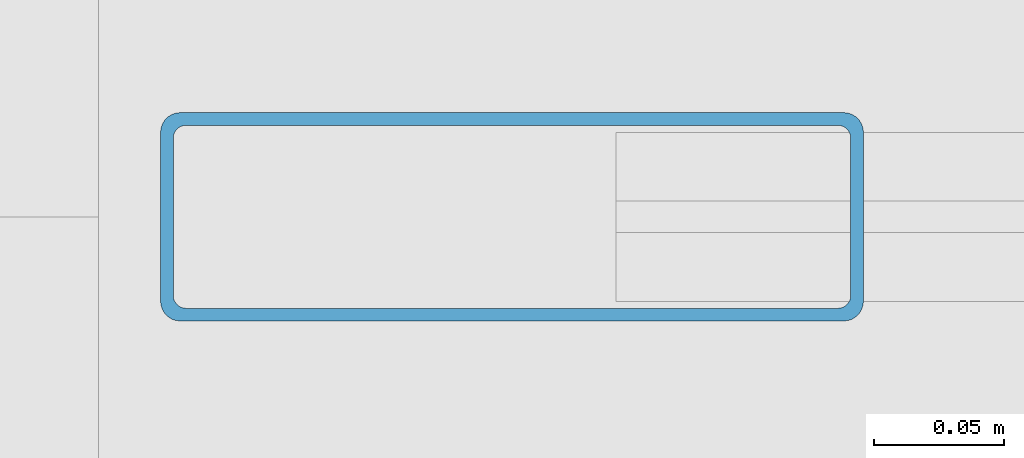
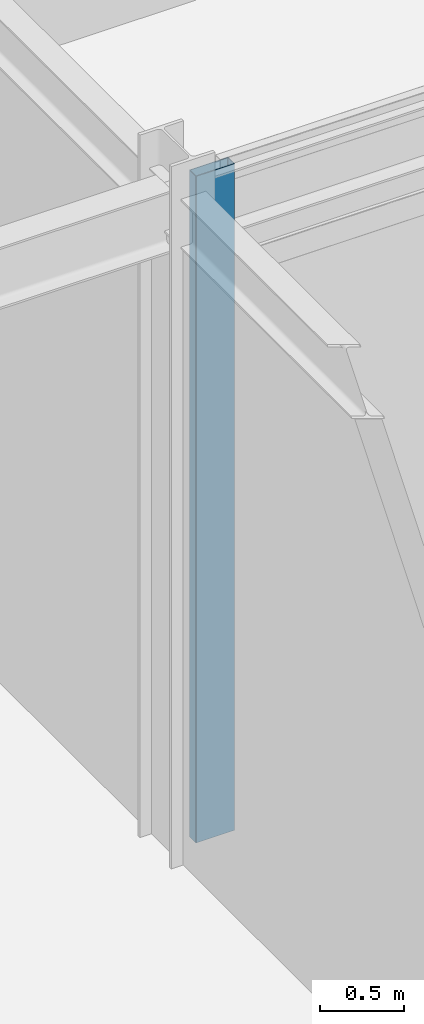
# One storey, part 31 of 79: 1 member, 1 element without a shape of its own.
"""IFC4 building model written with IfcOpenShell, lengths in metres."""

from ifc_helpers import new_model, si_unit, direction, frame, origin, origin_2d, place, context, subcontext, project, spatial, hollow_rectangle, extrude, material, layer, layer_set, material_profile, profile_set, type_object, element, aggregate, save


model = new_model("IFC4")

# Units and contexts
model_context = context("Model", 3, precision=1e-05, world=origin(), true_north=direction((0.0, 1.0)))
body_context = subcontext(model_context, "Body", "Model", "MODEL_VIEW")
ifc_project = project(units=[si_unit("LENGTHUNIT", "METRE"), si_unit("AREAUNIT", "SQUARE_METRE"), si_unit("VOLUMEUNIT", "CUBIC_METRE"), si_unit("PLANEANGLEUNIT", "RADIAN"), si_unit("MASSUNIT", "GRAM", prefix="KILO")], contexts=[model_context])

# Site, building, storey
site_placement = place(None, origin())
site = spatial("IfcSite", under=ifc_project, at=site_placement, CompositionType="ELEMENT")
building_placement = place(site_placement, origin())
building = spatial("IfcBuilding", under=site, at=building_placement, Name="Shalkamar Park Central Library", CompositionType="ELEMENT")
storey_placement = place(building_placement, frame((0.0, 0.0, 10.5)))
storey = spatial("IfcBuildingStorey", under=building, at=storey_placement, Name="L03", CompositionType="ELEMENT", Elevation=10.5)

# Curtain wall, member
ifc_material_1 = material(Name="Thermally broken aluminium and triple low-e curtain wall", Category="aluminium")
ifc_layer = layer(ifc_material_1, 0.27001953125)
ifc_layer_set = layer_set([ifc_layer], Name="AtriumGlazedScreen_123")
curtain_wall_type = type_object("IfcCurtainWallType", Name="Atrium Glazed Screen 123", PredefinedType="USERDEFINED", material=ifc_layer_set)
curtain_wall_placement = place(storey_placement, origin())
curtain_wall = element("IfcCurtainWall", 1, at=curtain_wall_placement, inside=storey, type_object=curtain_wall_type, Name="Atrium Glazed Screen CW-L03-180", ObjectType="ATRIUM GLAZED SCREEN", PredefinedType="USERDEFINED")
ifc_material_2 = material(Name="Aluminium 6060-T66", Category="aluminium")
ifc_material_profile = material_profile(ifc_material_2, hollow_rectangle(XDim=0.080078125, YDim=0.27001953125, WallThickness=0.0048828125, InnerFilletRadius=0.0048828125, OuterFilletRadius=0.007568359375, at=origin_2d()), Name="ALU 80x270x5")
ifc_profile_set = profile_set([ifc_material_profile], Name="Aluminium 6060-T66")
member_type = type_object("IfcMemberType", Name="Curtain Wall Mullion ALU80x270", PredefinedType="MULLION", material=ifc_profile_set)
member_placement = place(storey_placement, frame((229.243896484375, 293.199951171875, 0.0), z_axis=(0.0, 0.0, 1.0), x_axis=(0.0, 1.0, 0.0)))
member = element("IfcMember", 2, at=member_placement, type_object=member_type, Name="CW-123 mullion 1", PredefinedType="MULLION", context=body_context, shape_type="SweptSolid", body=[
    extrude(hollow_rectangle(XDim=0.080078125, YDim=0.27001953125, WallThickness=0.0048828125, InnerFilletRadius=0.0048828125, OuterFilletRadius=0.007568359375, at=origin_2d()), origin(), (0.0, 0.0, 1.0), 4.840087890625),
])
aggregate(curtain_wall, [member])

save(model, "model.ifc")
